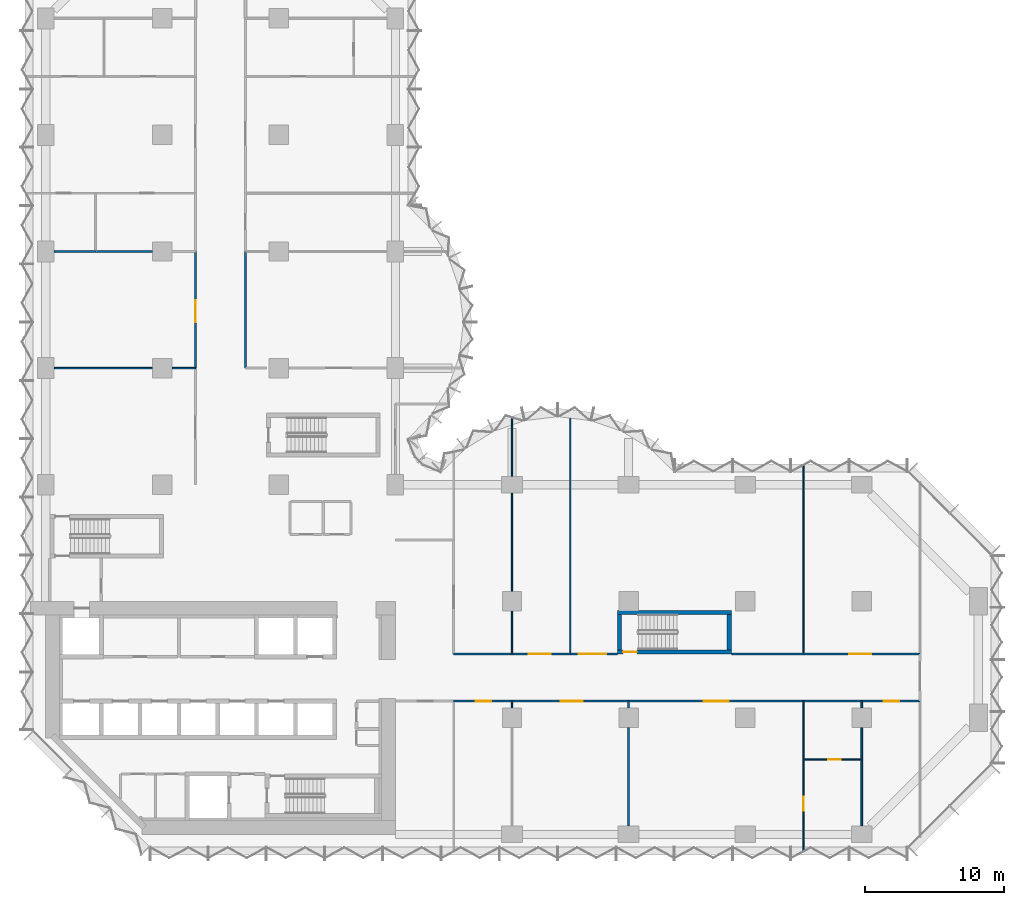
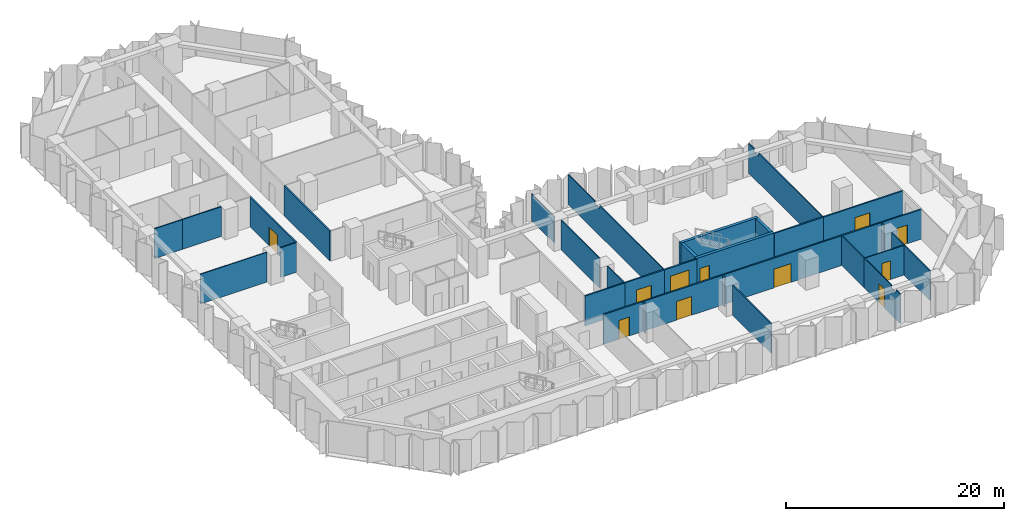
# One storey, part 10 of 15: 34 walls, 11 doors, 11 openings.
"""IFC4 building model written with IfcOpenShell, lengths in metres."""

from ifc_helpers import new_model, si_unit, direction, frame, frame_2d, origin, place, context, subcontext, project, spatial, polyline, rectangle, outline, extrude, material, layer, layer_set, type_object, element, fill, save


model = new_model("IFC4")

# Units and contexts
model_context = context("Model", 3, precision=1e-05, world=origin(), true_north=direction((0.0, 1.0)))
body_context = subcontext(model_context, "Body", "Model", "MODEL_VIEW")
ifc_project = project(units=[si_unit("LENGTHUNIT", "METRE"), si_unit("AREAUNIT", "SQUARE_METRE"), si_unit("VOLUMEUNIT", "CUBIC_METRE"), si_unit("PLANEANGLEUNIT", "RADIAN"), si_unit("MASSUNIT", "GRAM", prefix="KILO")], contexts=[model_context])

# Site, building, storey
site_placement = place(None, origin())
site = spatial("IfcSite", under=ifc_project, at=site_placement, CompositionType="ELEMENT")
building_placement = place(site_placement, origin())
building = spatial("IfcBuilding", under=site, at=building_placement, Name="Brevane Broadcast Tower", CompositionType="ELEMENT")
storey_placement = place(building_placement, frame((0.0, 0.0, 61.699951171875)))
storey = spatial("IfcBuildingStorey", under=building, at=storey_placement, Name="L13", CompositionType="ELEMENT", Elevation=61.699951171875)

# Wall, opening, door
ifc_material_1 = material(Name="Concrete C80/95", Category="concrete")
ifc_layer_1 = layer(ifc_material_1, 0.300048828125)
ifc_layer_set_1 = layer_set([ifc_layer_1], Name="Core wall 300 mm C80/95")
wall_type_1 = type_object("IfcWallType", Name="Core wall 300 mm C80/95", PredefinedType="SHEAR", material=ifc_layer_set_1)
wall_1_placement = place(storey_placement, frame((49.39990234375, 13.14990234375, 0.0), z_axis=(0.0, 0.0, 1.0), x_axis=(-1.0, 0.0, 0.0)))
wall_1 = element("IfcWall", 1, at=wall_1_placement, inside=storey, type_object=wall_type_1, Name="L13 stair wall ST-4-S", PredefinedType="SHEAR", context=body_context, shape_type="SweptSolid", body=[
    extrude(rectangle(XDim=8.199951171875, YDim=0.300048828125, at=frame_2d((4.10009765625, 0.0))), origin(), (0.0, 0.0, 1.0), 3.35009765625),
])
opening_1_placement = place(wall_1_placement, frame((6.800048828125, 0.0, 0.0)))
opening_1 = element("IfcOpeningElement", 2, at=opening_1_placement, cuts=wall_1, Name="Opening L13-K15", PredefinedType="OPENING", context=body_context, shape_type="SweptSolid", body=[
    extrude(rectangle(XDim=1.0, YDim=2.10009765625, at=frame_2d((0.5, 1.050048828125))), frame((0.0, 0.159912109375, 0.0), z_axis=(0.0, -1.0, 0.0), x_axis=(1.0, 0.0, 0.0)), (0.0, 0.0, 1.0), 0.320068359375),
])
ifc_material_2 = material(Name="Steel", Category="steel")
door_type_1 = type_object("IfcDoorType", Name="Stair door 1000 x 2100", OperationType="SINGLE_SWING_LEFT", PredefinedType="DOOR", material=ifc_material_2)
door_1_placement = place(opening_1_placement, origin())
door_1 = element("IfcDoor", 3, at=door_1_placement, inside=storey, type_object=door_type_1, Name="Door L13-K15", OperationType="SINGLE_SWING_RIGHT", OverallHeight=2.10009765625, OverallWidth=1.0, PredefinedType="DOOR", context=body_context, shape_type="SweptSolid", body=[
    extrude(rectangle(XDim=1.0, YDim=2.10009765625, at=frame_2d((0.5, 1.050048828125))), frame((0.0, 0.02490234375, 0.0), z_axis=(0.0, -1.0, 0.0), x_axis=(1.0, 0.0, 0.0)), (0.0, 0.0, 1.0), 0.050048828125),
])
fill(opening_1, door_1)

# Walls
wall_2_placement = place(storey_placement, frame((41.199951171875, 16.0, 0.0), z_axis=(0.0, 0.0, 1.0), x_axis=(1.0, 0.0, 0.0)))
element("IfcWall", 4, at=wall_2_placement, inside=storey, type_object=wall_type_1, Name="L13 stair wall ST-4-N", PredefinedType="SHEAR", context=body_context, shape_type="SweptSolid", body=[
    extrude(rectangle(XDim=8.199951171875, YDim=0.300048828125, at=frame_2d((4.10009765625, 0.0))), origin(), (0.0, 0.0, 1.0), 3.35009765625),
])
for number, where, z_axis, x_axis, name in (
    (5, (41.35009765625, 13.300048828125, 0.0), (0.0, 0.0, 1.0), (0.0, 1.0, 0.0), "L13 stair wall ST-4-W"),
    (6, (49.25, 13.300048828125, 0.0), (0.0, 0.0, 1.0), (0.0, 1.0, 0.0), "L13 stair wall ST-4-E"),
):
    element("IfcWall", number, at=place(storey_placement, frame(where, z_axis=z_axis, x_axis=x_axis)), inside=storey, type_object=wall_type_1, Name=name, PredefinedType="SHEAR", context=body_context, shape_type="SweptSolid", body=[
        extrude(rectangle(XDim=2.550048828125, YDim=0.300048828125, at=frame_2d((1.27490234375, 0.0))), origin(), (0.0, 0.0, 1.0), 3.35009765625),
    ])
ifc_material_3 = material(Name="Gypsum board partition")
ifc_layer_2 = layer(ifc_material_3, 0.10009765625)
ifc_layer_set_2 = layer_set([ifc_layer_2], Name="PARTITION 100 STUD")
wall_type_2 = type_object("IfcWallType", Name="PARTITION 100 STUD", PredefinedType="PARTITIONING", material=ifc_layer_set_2)
wall_3_placement = place(storey_placement, frame((33.60009765625, 9.60009765625, 0.0), z_axis=(0.0, 0.0, 1.0), x_axis=(0.0, -1.0, 0.0)))
element("IfcWall", 7, at=wall_3_placement, inside=storey, type_object=wall_type_2, Name="Partition G03-021", PredefinedType="PARTITIONING", context=body_context, shape_type="SweptSolid", body=[
    extrude(rectangle(XDim=0.47998046875, YDim=0.10009765625, at=frame_2d((0.239990234375, 0.0))), origin(), (0.0, 0.0, 1.0), 3.330078125),
])

# Wall, opening, door
wall_4_placement = place(storey_placement, frame((54.60009765625, 5.39990234375, 0.0), z_axis=(0.0, 0.0, 1.0), x_axis=(0.0, -1.0, 0.0)))
wall_4 = element("IfcWall", 8, at=wall_4_placement, inside=storey, type_object=wall_type_2, Name="Partition G03-025", PredefinedType="PARTITIONING", context=body_context, shape_type="SweptSolid", body=[
    extrude(outline(polyline([(0.0, 0.0), (6.573974609375, 0.0), (6.573974609375, 3.330078125), (6.5, 3.330078125), (5.85009765625, 3.330078125), (5.847900390625, 2.97998046875), (4.951904296875, 2.97998046875), (4.949951171875, 3.330078125), (0.0, 3.330078125), (0.0, 0.0)])), frame((0.0, 0.050048828125, 0.0), z_axis=(0.0, -1.0, 0.0), x_axis=(1.0, 0.0, 0.0)), (0.0, 0.0, 1.0), 0.10009765625),
])
opening_2_placement = place(wall_4_placement, frame((2.699951171875, 0.0, 0.0)))
opening_2 = element("IfcOpeningElement", 9, at=opening_2_placement, cuts=wall_4, Name="Opening D09-007", PredefinedType="OPENING", context=body_context, shape_type="SweptSolid", body=[
    extrude(rectangle(XDim=1.0, YDim=2.10009765625, at=frame_2d((0.5, 1.050048828125))), frame((0.0, 0.06005859375, 0.0), z_axis=(0.0, -1.0, 0.0), x_axis=(1.0, 0.0, 0.0)), (0.0, 0.0, 1.0), 0.1201171875),
])
ifc_material_4 = material(Name="Timber door leaf", Category="wood")
door_type_2 = type_object("IfcDoorType", Name="DOOR SINGLE 1000 INTERNAL", OperationType="SINGLE_SWING_LEFT", PredefinedType="DOOR", material=ifc_material_4)
door_2_placement = place(opening_2_placement, origin())
door_2 = element("IfcDoor", 10, at=door_2_placement, inside=storey, type_object=door_type_2, Name="Door D09-007", OperationType="SINGLE_SWING_LEFT", OverallHeight=2.10009765625, OverallWidth=1.0, PredefinedType="DOOR", context=body_context, shape_type="SweptSolid", body=[
    extrude(rectangle(XDim=1.0, YDim=2.10009765625, at=frame_2d((0.5, 1.050048828125))), frame((0.0, 0.02490234375, 0.0), z_axis=(0.0, -1.0, 0.0), x_axis=(1.0, 0.0, 0.0)), (0.0, 0.0, 1.0), 0.050048828125),
])
fill(opening_2, door_2)

# Wall
wall_5_placement = place(storey_placement, frame((54.60009765625, 9.60009765625, 0.0), z_axis=(0.0, 0.0, 1.0), x_axis=(0.0, -1.0, 0.0)))
element("IfcWall", 11, at=wall_5_placement, inside=storey, type_object=wall_type_2, Name="Partition G03-026", PredefinedType="PARTITIONING", context=body_context, shape_type="SweptSolid", body=[
    extrude(rectangle(XDim=4.2001953125, YDim=0.10009765625, at=frame_2d((2.10009765625, 0.0))), origin(), (0.0, 0.0, 1.0), 3.330078125),
])

# Wall, opening, door
wall_6_placement = place(storey_placement, frame((54.60009765625, 5.39990234375, 0.0), z_axis=(0.0, 0.0, 1.0), x_axis=(1.0, 0.0, 0.0)))
wall_6 = element("IfcWall", 12, at=wall_6_placement, inside=storey, type_object=wall_type_2, Name="Partition G03-027", PredefinedType="PARTITIONING", context=body_context, shape_type="SweptSolid", body=[
    extrude(rectangle(XDim=4.199951171875, YDim=0.10009765625, at=frame_2d((2.10009765625, 0.0))), origin(), (0.0, 0.0, 1.0), 3.330078125),
])
opening_3_placement = place(wall_6_placement, frame((1.800048828125, 0.0, 0.0)))
opening_3 = element("IfcOpeningElement", 13, at=opening_3_placement, cuts=wall_6, Name="Opening D09-008", PredefinedType="OPENING", context=body_context, shape_type="SweptSolid", body=[
    extrude(rectangle(XDim=0.89990234375, YDim=2.10009765625, at=frame_2d((0.449951171875, 1.050048828125))), frame((0.0, 0.06005859375, 0.0), z_axis=(0.0, -1.0, 0.0), x_axis=(1.0, 0.0, 0.0)), (0.0, 0.0, 1.0), 0.1201171875),
])
door_type_3 = type_object("IfcDoorType", Name="DOOR SINGLE 900 INTERNAL", OperationType="SINGLE_SWING_LEFT", PredefinedType="DOOR", material=ifc_material_4)
door_3_placement = place(opening_3_placement, origin())
door_3 = element("IfcDoor", 14, at=door_3_placement, inside=storey, type_object=door_type_3, Name="Door D09-008", OperationType="SINGLE_SWING_LEFT", OverallHeight=2.10009765625, OverallWidth=0.89990234375, PredefinedType="DOOR", context=body_context, shape_type="SweptSolid", body=[
    extrude(rectangle(XDim=0.89990234375, YDim=2.10009765625, at=frame_2d((0.449951171875, 1.050048828125))), frame((0.0, 0.02490234375, 0.0), z_axis=(0.0, -1.0, 0.0), x_axis=(1.0, 0.0, 0.0)), (0.0, 0.0, 1.0), 0.050048828125),
])
fill(opening_3, door_3)

# Walls
wall_7_placement = place(storey_placement, frame((33.60009765625, 29.98828125, 0.0), z_axis=(0.0, 0.0, 1.0), x_axis=(0.0, -1.0, 0.0)))
element("IfcWall", 15, at=wall_7_placement, inside=storey, type_object=wall_type_2, Name="Partition G03-031", PredefinedType="PARTITIONING", context=body_context, shape_type="SweptSolid", body=[
    extrude(rectangle(XDim=4.168212890625, YDim=0.10009765625, at=frame_2d((2.083984375, 0.0))), origin(), (0.0, 0.0, 1.0), 2.97998046875),
])
wall_8_placement = place(storey_placement, frame((33.60009765625, 24.580078125, 0.0), z_axis=(0.0, 0.0, 1.0), x_axis=(0.0, -1.0, 0.0)))
element("IfcWall", 16, at=wall_8_placement, inside=storey, type_object=wall_type_2, Name="Partition G03-032", PredefinedType="PARTITIONING", context=body_context, shape_type="SweptSolid", body=[
    extrude(rectangle(XDim=7.06005859375, YDim=0.10009765625, at=frame_2d((3.530029296875, 0.0))), origin(), (0.0, 0.0, 1.0), 3.330078125),
])
wall_9_placement = place(storey_placement, frame((33.60009765625, 16.080078125, 0.0), z_axis=(0.0, 0.0, 1.0), x_axis=(0.0, -1.0, 0.0)))
element("IfcWall", 17, at=wall_9_placement, inside=storey, type_object=wall_type_2, Name="Partition G03-033", PredefinedType="PARTITIONING", context=body_context, shape_type="SweptSolid", body=[
    extrude(rectangle(XDim=3.080078125, YDim=0.10009765625, at=frame_2d((1.5400390625, 0.0))), origin(), (0.0, 0.0, 1.0), 3.330078125),
])
wall_10_placement = place(storey_placement, frame((37.800048828125, 30.52587890625, 0.0), z_axis=(0.0, 0.0, 1.0), x_axis=(0.0, -1.0, 0.0)))
element("IfcWall", 18, at=wall_10_placement, inside=storey, type_object=wall_type_2, Name="Partition G03-034", PredefinedType="PARTITIONING", context=body_context, shape_type="SweptSolid", body=[
    extrude(outline(polyline([(0.0, 0.0), (17.52587890625, 0.0), (17.52587890625, 3.330078125), (5.77587890625, 3.330078125), (5.77392578125, 2.97998046875), (4.8779296875, 2.97998046875), (4.8759765625, 3.330078125), (0.283203125, 3.330078125), (0.0, 3.330078125), (0.0, 0.0)])), frame((0.0, 0.050048828125, 0.0), z_axis=(0.0, -1.0, 0.0), x_axis=(1.0, 0.0, 0.0)), (0.0, 0.0, 1.0), 0.10009765625),
])
wall_11_placement = place(storey_placement, frame((54.60009765625, 26.56494140625, 0.0), z_axis=(0.0, 0.0, 1.0), x_axis=(0.0, -1.0, 0.0)))
element("IfcWall", 19, at=wall_11_placement, inside=storey, type_object=wall_type_2, Name="Partition G03-035", PredefinedType="PARTITIONING", context=body_context, shape_type="SweptSolid", body=[
    extrude(outline(polyline([(0.0, 0.0), (13.56494140625, 0.0), (13.56494140625, 3.330078125), (1.81494140625, 3.330078125), (1.81298828125, 2.97998046875), (0.9169921875, 2.97998046875), (0.9150390625, 3.330078125), (0.264892578125, 3.330078125), (0.0, 3.330078125), (0.0, 0.0)])), frame((0.0, 0.050048828125, 0.0), z_axis=(0.0, -1.0, 0.0), x_axis=(1.0, 0.0, 0.0)), (0.0, 0.0, 1.0), 0.10009765625),
])
wall_12_placement = place(storey_placement, frame((0.6201171875, 33.60009765625, 0.0), z_axis=(0.0, 0.0, 1.0), x_axis=(1.0, 0.0, 0.0)))
element("IfcWall", 20, at=wall_12_placement, inside=storey, type_object=wall_type_2, Name="Partition G03-051", PredefinedType="PARTITIONING", context=body_context, shape_type="SweptSolid", body=[
    extrude(rectangle(XDim=7.059814453125, YDim=0.10009765625, at=frame_2d((3.52978515625, 0.0))), origin(), (0.0, 0.0, 1.0), 3.330078125),
])
wall_13_placement = place(storey_placement, frame((9.1201171875, 33.60009765625, 0.0), z_axis=(0.0, 0.0, 1.0), x_axis=(1.0, 0.0, 0.0)))
element("IfcWall", 21, at=wall_13_placement, inside=storey, type_object=wall_type_2, Name="Partition G03-052", PredefinedType="PARTITIONING", context=body_context, shape_type="SweptSolid", body=[
    extrude(rectangle(XDim=1.679931640625, YDim=0.10009765625, at=frame_2d((0.83984375, 0.0))), origin(), (0.0, 0.0, 1.0), 3.330078125),
])
ifc_layer_3 = layer(ifc_material_3, 0.125)
ifc_layer_set_3 = layer_set([ifc_layer_3], Name="PARTITION 125 ACOUSTIC")
wall_type_3 = type_object("IfcWallType", Name="PARTITION 125 ACOUSTIC", PredefinedType="PARTITIONING", material=ifc_layer_set_3)
wall_14_placement = place(storey_placement, frame((42.0, 9.60009765625, 0.0), z_axis=(0.0, 0.0, 1.0), x_axis=(0.0, -1.0, 0.0)))
element("IfcWall", 22, at=wall_14_placement, inside=storey, type_object=wall_type_3, Name="Partition G03-023", PredefinedType="PARTITIONING", context=body_context, shape_type="SweptSolid", body=[
    extrude(rectangle(XDim=0.47998046875, YDim=0.125, at=frame_2d((0.239990234375, 0.0))), origin(), (0.0, 0.0, 1.0), 3.330078125),
])
wall_15_placement = place(storey_placement, frame((42.0, 7.679931640625, 0.0), z_axis=(0.0, 0.0, 1.0), x_axis=(0.0, -1.0, 0.0)))
element("IfcWall", 23, at=wall_15_placement, inside=storey, type_object=wall_type_3, Name="Partition G03-024", PredefinedType="PARTITIONING", context=body_context, shape_type="SweptSolid", body=[
    extrude(rectangle(XDim=7.059814453125, YDim=0.125, at=frame_2d((3.52978515625, 0.0))), origin(), (0.0, 0.0, 1.0), 3.330078125),
])
wall_16_placement = place(storey_placement, frame((58.800048828125, 5.39990234375, 0.0), z_axis=(0.0, 0.0, 1.0), x_axis=(0.0, -1.0, 0.0)))
element("IfcWall", 24, at=wall_16_placement, inside=storey, type_object=wall_type_3, Name="Partition G03-028", PredefinedType="PARTITIONING", context=body_context, shape_type="SweptSolid", body=[
    extrude(rectangle(XDim=4.77978515625, YDim=0.125, at=frame_2d((2.389892578125, 0.0))), origin(), (0.0, 0.0, 1.0), 3.330078125),
])
wall_17_placement = place(storey_placement, frame((58.800048828125, 9.60009765625, 0.0), z_axis=(0.0, 0.0, 1.0), x_axis=(0.0, -1.0, 0.0)))
element("IfcWall", 25, at=wall_17_placement, inside=storey, type_object=wall_type_3, Name="Partition G03-029", PredefinedType="PARTITIONING", context=body_context, shape_type="SweptSolid", body=[
    extrude(rectangle(XDim=0.47998046875, YDim=0.125, at=frame_2d((0.239990234375, 0.0))), origin(), (0.0, 0.0, 1.0), 3.330078125),
])
wall_18_placement = place(storey_placement, frame((58.800048828125, 7.679931640625, 0.0), z_axis=(0.0, 0.0, 1.0), x_axis=(0.0, -1.0, 0.0)))
element("IfcWall", 26, at=wall_18_placement, inside=storey, type_object=wall_type_3, Name="Partition G03-030", PredefinedType="PARTITIONING", context=body_context, shape_type="SweptSolid", body=[
    extrude(rectangle(XDim=2.280029296875, YDim=0.125, at=frame_2d((1.14013671875, 0.0))), origin(), (0.0, 0.0, 1.0), 3.330078125),
])
wall_19_placement = place(storey_placement, frame((0.6201171875, 42.0, 0.0), z_axis=(0.0, 0.0, 1.0), x_axis=(1.0, 0.0, 0.0)))
element("IfcWall", 27, at=wall_19_placement, inside=storey, type_object=wall_type_3, Name="Partition G03-053", PredefinedType="PARTITIONING", context=body_context, shape_type="SweptSolid", body=[
    extrude(rectangle(XDim=2.97998046875, YDim=0.125, at=frame_2d((1.489990234375, 0.0))), origin(), (0.0, 0.0, 1.0), 3.330078125),
])
wall_20_placement = place(storey_placement, frame((3.60009765625, 42.0, 0.0), z_axis=(0.0, 0.0, 1.0), x_axis=(1.0, 0.0, 0.0)))
element("IfcWall", 28, at=wall_20_placement, inside=storey, type_object=wall_type_3, Name="Partition G03-054", PredefinedType="PARTITIONING", context=body_context, shape_type="SweptSolid", body=[
    extrude(rectangle(XDim=4.079833984375, YDim=0.125, at=frame_2d((2.0400390625, 0.0))), origin(), (0.0, 0.0, 1.0), 3.330078125),
])

# Wall, opening, door
ifc_layer_4 = layer(ifc_material_3, 0.14990234375)
ifc_layer_set_4 = layer_set([ifc_layer_4], Name="PARTITION 150 EI 60")
wall_type_4 = type_object("IfcWallType", Name="PARTITION 150 EI 60", PredefinedType="PARTITIONING", material=ifc_layer_set_4)
wall_21_placement = place(storey_placement, frame((33.60009765625, 9.60009765625, 0.0), z_axis=(0.0, 0.0, 1.0), x_axis=(-1.0, 0.0, 0.0)))
wall_21 = element("IfcWall", 29, at=wall_21_placement, inside=storey, type_object=wall_type_4, Name="Partition G03-008", PredefinedType="PARTITIONING", context=body_context, shape_type="SweptSolid", body=[
    extrude(rectangle(XDim=4.2001953125, YDim=0.14990234375, at=frame_2d((2.10009765625, 0.0))), origin(), (0.0, 0.0, 1.0), 3.330078125),
])
opening_4_placement = place(wall_21_placement, frame((1.5, 0.0, 0.0)))
opening_4 = element("IfcOpeningElement", 30, at=opening_4_placement, cuts=wall_21, Name="Opening D09-004", PredefinedType="OPENING", context=body_context, shape_type="SweptSolid", body=[
    extrude(rectangle(XDim=1.10009765625, YDim=2.10009765625, at=frame_2d((0.550048828125, 1.050048828125))), frame((0.0, 0.0849609375, 0.0), z_axis=(0.0, -1.0, 0.0), x_axis=(1.0, 0.0, 0.0)), (0.0, 0.0, 1.0), 0.169921875),
])
ifc_material_5 = material(Name="Fire-rated timber door leaf", Category="wood")
door_type_4 = type_object("IfcDoorType", Name="DOOR SINGLE 1100 FD30S", OperationType="SINGLE_SWING_LEFT", PredefinedType="DOOR", material=ifc_material_5)
door_4_placement = place(opening_4_placement, origin())
door_4 = element("IfcDoor", 31, at=door_4_placement, inside=storey, type_object=door_type_4, Name="Door D09-004", OperationType="SINGLE_SWING_LEFT", OverallHeight=2.10009765625, OverallWidth=1.10009765625, PredefinedType="DOOR", context=body_context, shape_type="SweptSolid", body=[
    extrude(rectangle(XDim=1.10009765625, YDim=2.10009765625, at=frame_2d((0.550048828125, 1.050048828125))), frame((0.0, 0.02490234375, 0.0), z_axis=(0.0, -1.0, 0.0), x_axis=(1.0, 0.0, 0.0)), (0.0, 0.0, 1.0), 0.050048828125),
])
fill(opening_4, door_4)

wall_22_placement = place(storey_placement, frame((42.0, 9.60009765625, 0.0), z_axis=(0.0, 0.0, 1.0), x_axis=(-1.0, 0.0, 0.0)))
wall_22 = element("IfcWall", 32, at=wall_22_placement, inside=storey, type_object=wall_type_4, Name="Partition G03-009", PredefinedType="PARTITIONING", context=body_context, shape_type="SweptSolid", body=[
    extrude(rectangle(XDim=8.39990234375, YDim=0.14990234375, at=frame_2d((4.199951171875, 0.0))), origin(), (0.0, 0.0, 1.0), 3.330078125),
])
opening_5_placement = place(wall_22_placement, frame((3.300048828125, 0.0, 0.0)))
opening_5 = element("IfcOpeningElement", 33, at=opening_5_placement, cuts=wall_22, Name="Opening D09-005", PredefinedType="OPENING", context=body_context, shape_type="SweptSolid", body=[
    extrude(rectangle(XDim=1.60009765625, YDim=2.10009765625, at=frame_2d((0.800048828125, 1.050048828125))), frame((0.0, 0.0849609375, 0.0), z_axis=(0.0, -1.0, 0.0), x_axis=(1.0, 0.0, 0.0)), (0.0, 0.0, 1.0), 0.169921875),
])
door_type_5 = type_object("IfcDoorType", Name="DOOR DOUBLE 1600 FD30S", OperationType="DOUBLE_DOOR_SINGLE_SWING", PredefinedType="DOOR", material=ifc_material_5)
door_5_placement = place(opening_5_placement, origin())
door_5 = element("IfcDoor", 34, at=door_5_placement, inside=storey, type_object=door_type_5, Name="Door D09-005", OperationType="DOUBLE_DOOR_SINGLE_SWING", OverallHeight=2.10009765625, OverallWidth=1.60009765625, PredefinedType="DOOR", context=body_context, shape_type="SweptSolid", body=[
    extrude(rectangle(XDim=1.60009765625, YDim=2.10009765625, at=frame_2d((0.800048828125, 1.050048828125))), frame((0.0, 0.02490234375, 0.0), z_axis=(0.0, -1.0, 0.0), x_axis=(1.0, 0.0, 0.0)), (0.0, 0.0, 1.0), 0.050048828125),
])
fill(opening_5, door_5)

wall_23_placement = place(storey_placement, frame((54.60009765625, 9.60009765625, 0.0), z_axis=(0.0, 0.0, 1.0), x_axis=(-1.0, 0.0, 0.0)))
wall_23 = element("IfcWall", 35, at=wall_23_placement, inside=storey, type_object=wall_type_4, Name="Partition G03-010", PredefinedType="PARTITIONING", context=body_context, shape_type="SweptSolid", body=[
    extrude(rectangle(XDim=12.60009765625, YDim=0.14990234375, at=frame_2d((6.300048828125, 0.0))), origin(), (0.0, 0.0, 1.0), 3.330078125),
])
opening_6_placement = place(wall_23_placement, frame((5.39990234375, 0.0, 0.0)))
opening_6 = element("IfcOpeningElement", 36, at=opening_6_placement, cuts=wall_23, Name="Opening D09-006", PredefinedType="OPENING", context=body_context, shape_type="SweptSolid", body=[
    extrude(rectangle(XDim=1.800048828125, YDim=2.10009765625, at=frame_2d((0.89990234375, 1.050048828125))), frame((0.0, 0.0849609375, 0.0), z_axis=(0.0, -1.0, 0.0), x_axis=(1.0, 0.0, 0.0)), (0.0, 0.0, 1.0), 0.169921875),
])
door_type_6 = type_object("IfcDoorType", Name="DOOR DOUBLE 1800 FD30S", OperationType="DOUBLE_DOOR_SINGLE_SWING", PredefinedType="DOOR", material=ifc_material_5)
door_6_placement = place(opening_6_placement, origin())
door_6 = element("IfcDoor", 37, at=door_6_placement, inside=storey, type_object=door_type_6, Name="Door D09-006", OperationType="DOUBLE_DOOR_SINGLE_SWING", OverallHeight=2.10009765625, OverallWidth=1.800048828125, PredefinedType="DOOR", context=body_context, shape_type="SweptSolid", body=[
    extrude(rectangle(XDim=1.800048828125, YDim=2.10009765625, at=frame_2d((0.89990234375, 1.050048828125))), frame((0.0, 0.02490234375, 0.0), z_axis=(0.0, -1.0, 0.0), x_axis=(1.0, 0.0, 0.0)), (0.0, 0.0, 1.0), 0.050048828125),
])
fill(opening_6, door_6)

# Wall
wall_24_placement = place(storey_placement, frame((58.800048828125, 9.60009765625, 0.0), z_axis=(0.0, 0.0, 1.0), x_axis=(-1.0, 0.0, 0.0)))
element("IfcWall", 38, at=wall_24_placement, inside=storey, type_object=wall_type_4, Name="Partition G03-011", PredefinedType="PARTITIONING", context=body_context, shape_type="SweptSolid", body=[
    extrude(rectangle(XDim=4.199951171875, YDim=0.14990234375, at=frame_2d((2.10009765625, 0.0))), origin(), (0.0, 0.0, 1.0), 3.330078125),
])

# Wall, opening, door
wall_25_placement = place(storey_placement, frame((63.0, 9.60009765625, 0.0), z_axis=(0.0, 0.0, 1.0), x_axis=(-1.0, 0.0, 0.0)))
wall_25 = element("IfcWall", 39, at=wall_25_placement, inside=storey, type_object=wall_type_4, Name="Partition G03-012", PredefinedType="PARTITIONING", context=body_context, shape_type="SweptSolid", body=[
    extrude(rectangle(XDim=4.199951171875, YDim=0.14990234375, at=frame_2d((2.10009765625, 0.0))), origin(), (0.0, 0.0, 1.0), 3.330078125),
])
opening_7_placement = place(wall_25_placement, frame((1.5, 0.0, 0.0)))
opening_7 = element("IfcOpeningElement", 40, at=opening_7_placement, cuts=wall_25, Name="Opening D09-009", PredefinedType="OPENING", context=body_context, shape_type="SweptSolid", body=[
    extrude(rectangle(XDim=1.10009765625, YDim=2.10009765625, at=frame_2d((0.550048828125, 1.050048828125))), frame((0.0, 0.0849609375, 0.0), z_axis=(0.0, -1.0, 0.0), x_axis=(1.0, 0.0, 0.0)), (0.0, 0.0, 1.0), 0.169921875),
])
door_7_placement = place(opening_7_placement, origin())
door_7 = element("IfcDoor", 41, at=door_7_placement, inside=storey, type_object=door_type_4, Name="Door D09-009", OperationType="SINGLE_SWING_LEFT", OverallHeight=2.10009765625, OverallWidth=1.10009765625, PredefinedType="DOOR", context=body_context, shape_type="SweptSolid", body=[
    extrude(rectangle(XDim=1.10009765625, YDim=2.10009765625, at=frame_2d((0.550048828125, 1.050048828125))), frame((0.0, 0.02490234375, 0.0), z_axis=(0.0, -1.0, 0.0), x_axis=(1.0, 0.0, 0.0)), (0.0, 0.0, 1.0), 0.050048828125),
])
fill(opening_7, door_7)

# Wall
wall_26_placement = place(storey_placement, frame((29.39990234375, 13.0, 0.0), z_axis=(0.0, 0.0, 1.0), x_axis=(1.0, 0.0, 0.0)))
element("IfcWall", 42, at=wall_26_placement, inside=storey, type_object=wall_type_4, Name="Partition G03-013", PredefinedType="PARTITIONING", context=body_context, shape_type="SweptSolid", body=[
    extrude(rectangle(XDim=4.2001953125, YDim=0.14990234375, at=frame_2d((2.10009765625, 0.0))), origin(), (0.0, 0.0, 1.0), 3.330078125),
])

# Wall, opening, door
wall_27_placement = place(storey_placement, frame((33.60009765625, 13.0, 0.0), z_axis=(0.0, 0.0, 1.0), x_axis=(1.0, 0.0, 0.0)))
wall_27 = element("IfcWall", 43, at=wall_27_placement, inside=storey, type_object=wall_type_4, Name="Partition G03-014", PredefinedType="PARTITIONING", context=body_context, shape_type="SweptSolid", body=[
    extrude(rectangle(XDim=4.199951171875, YDim=0.14990234375, at=frame_2d((2.10009765625, 0.0))), origin(), (0.0, 0.0, 1.0), 3.330078125),
])
opening_8_placement = place(wall_27_placement, frame((1.199951171875, 0.0, 0.0)))
opening_8 = element("IfcOpeningElement", 44, at=opening_8_placement, cuts=wall_27, Name="Opening D09-011", PredefinedType="OPENING", context=body_context, shape_type="SweptSolid", body=[
    extrude(rectangle(XDim=1.60009765625, YDim=2.10009765625, at=frame_2d((0.800048828125, 1.050048828125))), frame((0.0, 0.0849609375, 0.0), z_axis=(0.0, -1.0, 0.0), x_axis=(1.0, 0.0, 0.0)), (0.0, 0.0, 1.0), 0.169921875),
])
door_8_placement = place(opening_8_placement, origin())
door_8 = element("IfcDoor", 45, at=door_8_placement, inside=storey, type_object=door_type_5, Name="Door D09-011", OperationType="DOUBLE_DOOR_SINGLE_SWING", OverallHeight=2.10009765625, OverallWidth=1.60009765625, PredefinedType="DOOR", context=body_context, shape_type="SweptSolid", body=[
    extrude(rectangle(XDim=1.60009765625, YDim=2.10009765625, at=frame_2d((0.800048828125, 1.050048828125))), frame((0.0, 0.02490234375, 0.0), z_axis=(0.0, -1.0, 0.0), x_axis=(1.0, 0.0, 0.0)), (0.0, 0.0, 1.0), 0.050048828125),
])
fill(opening_8, door_8)

wall_28_placement = place(storey_placement, frame((37.800048828125, 13.0, 0.0), z_axis=(0.0, 0.0, 1.0), x_axis=(1.0, 0.0, 0.0)))
wall_28 = element("IfcWall", 46, at=wall_28_placement, inside=storey, type_object=wall_type_4, Name="Partition G03-015", PredefinedType="PARTITIONING", context=body_context, shape_type="SweptSolid", body=[
    extrude(rectangle(XDim=3.39990234375, YDim=0.14990234375, at=frame_2d((1.699951171875, 0.0))), origin(), (0.0, 0.0, 1.0), 3.330078125),
])
opening_9_placement = place(wall_28_placement, frame((0.60009765625, 0.0, 0.0)))
opening_9 = element("IfcOpeningElement", 47, at=opening_9_placement, cuts=wall_28, Name="Opening D09-012", PredefinedType="OPENING", context=body_context, shape_type="SweptSolid", body=[
    extrude(rectangle(XDim=2.0, YDim=2.39990234375, at=frame_2d((1.0, 1.199951171875))), frame((0.0, 0.0849609375, 0.0), z_axis=(0.0, -1.0, 0.0), x_axis=(1.0, 0.0, 0.0)), (0.0, 0.0, 1.0), 0.169921875),
])
door_type_7 = type_object("IfcDoorType", Name="DOOR DOUBLE 2000 FD30S", OperationType="DOUBLE_DOOR_SINGLE_SWING", PredefinedType="DOOR", material=ifc_material_5)
door_9_placement = place(opening_9_placement, origin())
door_9 = element("IfcDoor", 48, at=door_9_placement, inside=storey, type_object=door_type_7, Name="Door D09-012", OperationType="DOUBLE_DOOR_SINGLE_SWING", OverallHeight=2.39990234375, OverallWidth=2.0, PredefinedType="DOOR", context=body_context, shape_type="SweptSolid", body=[
    extrude(rectangle(XDim=2.0, YDim=2.39990234375, at=frame_2d((1.0, 1.199951171875))), frame((0.0, 0.02490234375, 0.0), z_axis=(0.0, -1.0, 0.0), x_axis=(1.0, 0.0, 0.0)), (0.0, 0.0, 1.0), 0.050048828125),
])
fill(opening_9, door_9)

# Wall
wall_29_placement = place(storey_placement, frame((49.39990234375, 13.0, 0.0), z_axis=(0.0, 0.0, 1.0), x_axis=(1.0, 0.0, 0.0)))
element("IfcWall", 49, at=wall_29_placement, inside=storey, type_object=wall_type_4, Name="Partition G03-016", PredefinedType="PARTITIONING", context=body_context, shape_type="SweptSolid", body=[
    extrude(rectangle(XDim=5.2001953125, YDim=0.14990234375, at=frame_2d((2.60009765625, 0.0))), origin(), (0.0, 0.0, 1.0), 3.330078125),
])

# Wall, opening, door
wall_30_placement = place(storey_placement, frame((54.60009765625, 13.0, 0.0), z_axis=(0.0, 0.0, 1.0), x_axis=(1.0, 0.0, 0.0)))
wall_30 = element("IfcWall", 50, at=wall_30_placement, inside=storey, type_object=wall_type_4, Name="Partition G03-017", PredefinedType="PARTITIONING", context=body_context, shape_type="SweptSolid", body=[
    extrude(rectangle(XDim=8.39990234375, YDim=0.14990234375, at=frame_2d((4.199951171875, 0.0))), origin(), (0.0, 0.0, 1.0), 3.330078125),
])
opening_10_placement = place(wall_30_placement, frame((3.300048828125, 0.0, 0.0)))
opening_10 = element("IfcOpeningElement", 51, at=opening_10_placement, cuts=wall_30, Name="Opening D09-013", PredefinedType="OPENING", context=body_context, shape_type="SweptSolid", body=[
    extrude(rectangle(XDim=1.60009765625, YDim=2.10009765625, at=frame_2d((0.800048828125, 1.050048828125))), frame((0.0, 0.0849609375, 0.0), z_axis=(0.0, -1.0, 0.0), x_axis=(1.0, 0.0, 0.0)), (0.0, 0.0, 1.0), 0.169921875),
])
door_10_placement = place(opening_10_placement, origin())
door_10 = element("IfcDoor", 52, at=door_10_placement, inside=storey, type_object=door_type_5, Name="Door D09-013", OperationType="DOUBLE_DOOR_SINGLE_SWING", OverallHeight=2.10009765625, OverallWidth=1.60009765625, PredefinedType="DOOR", context=body_context, shape_type="SweptSolid", body=[
    extrude(rectangle(XDim=1.60009765625, YDim=2.10009765625, at=frame_2d((0.800048828125, 1.050048828125))), frame((0.0, 0.02490234375, 0.0), z_axis=(0.0, -1.0, 0.0), x_axis=(1.0, 0.0, 0.0)), (0.0, 0.0, 1.0), 0.050048828125),
])
fill(opening_10, door_10)

wall_31_placement = place(storey_placement, frame((10.800048828125, 33.60009765625, 0.0), z_axis=(0.0, 0.0, 1.0), x_axis=(0.0, 1.0, 0.0)))
wall_31 = element("IfcWall", 53, at=wall_31_placement, inside=storey, type_object=wall_type_4, Name="Partition G03-040", PredefinedType="PARTITIONING", context=body_context, shape_type="SweptSolid", body=[
    extrude(rectangle(XDim=8.39990234375, YDim=0.14990234375, at=frame_2d((4.199951171875, 0.0))), origin(), (0.0, 0.0, 1.0), 3.330078125),
])
opening_11_placement = place(wall_31_placement, frame((3.300048828125, 0.0, 0.0)))
opening_11 = element("IfcOpeningElement", 54, at=opening_11_placement, cuts=wall_31, Name="Opening D09-015", PredefinedType="OPENING", context=body_context, shape_type="SweptSolid", body=[
    extrude(rectangle(XDim=1.60009765625, YDim=2.10009765625, at=frame_2d((0.800048828125, 1.050048828125))), frame((0.0, 0.0849609375, 0.0), z_axis=(0.0, -1.0, 0.0), x_axis=(1.0, 0.0, 0.0)), (0.0, 0.0, 1.0), 0.169921875),
])
door_11_placement = place(opening_11_placement, origin())
door_11 = element("IfcDoor", 55, at=door_11_placement, inside=storey, type_object=door_type_5, Name="Door D09-015", OperationType="DOUBLE_DOOR_SINGLE_SWING", OverallHeight=2.10009765625, OverallWidth=1.60009765625, PredefinedType="DOOR", context=body_context, shape_type="SweptSolid", body=[
    extrude(rectangle(XDim=1.60009765625, YDim=2.10009765625, at=frame_2d((0.800048828125, 1.050048828125))), frame((0.0, 0.02490234375, 0.0), z_axis=(0.0, -1.0, 0.0), x_axis=(1.0, 0.0, 0.0)), (0.0, 0.0, 1.0), 0.050048828125),
])
fill(opening_11, door_11)

# Wall
wall_32_placement = place(storey_placement, frame((14.39990234375, 42.0, 0.0), z_axis=(0.0, 0.0, 1.0), x_axis=(0.0, -1.0, 0.0)))
element("IfcWall", 56, at=wall_32_placement, inside=storey, type_object=wall_type_4, Name="Partition G03-046", PredefinedType="PARTITIONING", context=body_context, shape_type="SweptSolid", body=[
    extrude(rectangle(XDim=8.39990234375, YDim=0.14990234375, at=frame_2d((4.199951171875, 0.0))), origin(), (0.0, 0.0, 1.0), 3.330078125),
])

save(model, "model.ifc")
